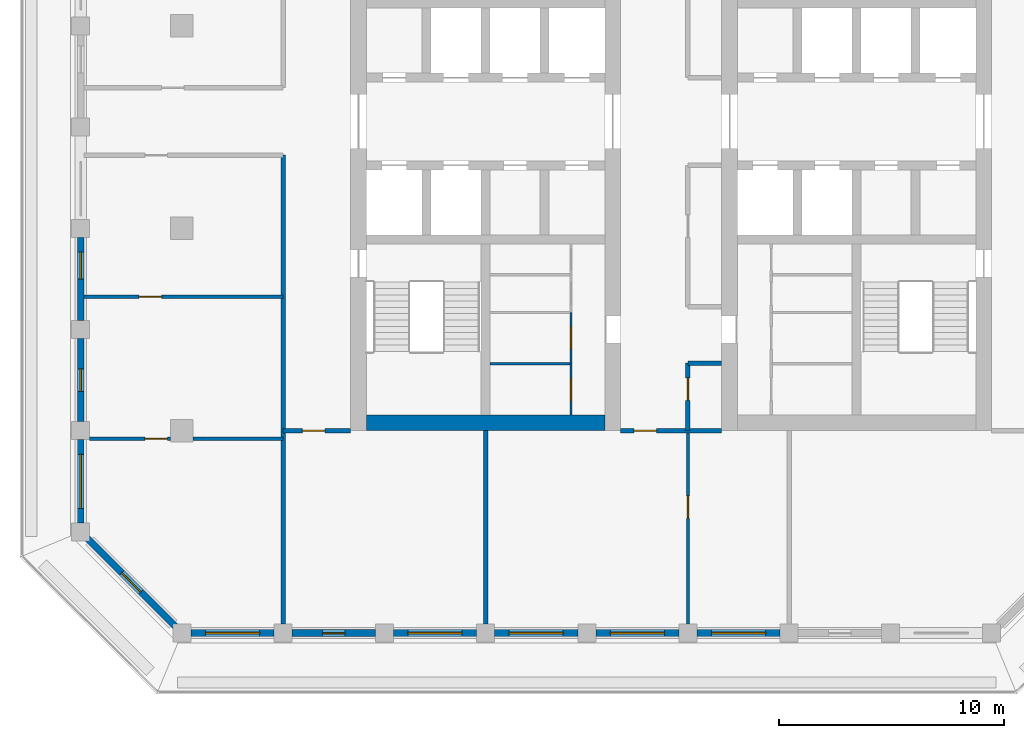
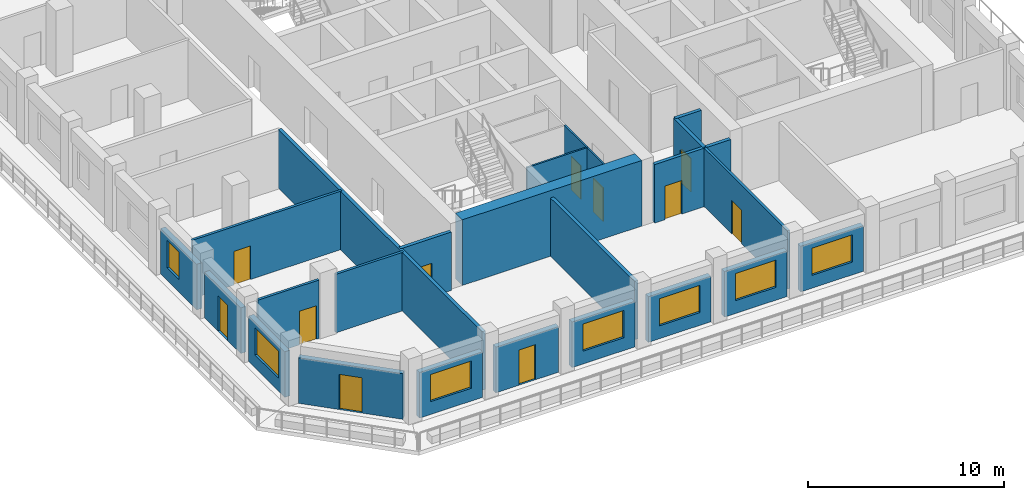
# One storey, part 2 of 14: 24 walls, 11 doors, 7 windows, 18 openings.
"""IFC4 building model written with IfcOpenShell, lengths in metres."""

from ifc_helpers import new_model, si_unit, direction, frame, frame_2d, origin, place, context, subcontext, project, spatial, rectangle, extrude, material, layer, layer_set, type_object, element, fill, save


model = new_model("IFC4")

# Units and contexts
model_context = context("Model", 3, precision=1e-05, world=origin(), true_north=direction((0.0, 1.0)))
body_context = subcontext(model_context, "Body", "Model", "MODEL_VIEW")
ifc_project = project(units=[si_unit("LENGTHUNIT", "METRE"), si_unit("AREAUNIT", "SQUARE_METRE"), si_unit("VOLUMEUNIT", "CUBIC_METRE"), si_unit("PLANEANGLEUNIT", "RADIAN"), si_unit("MASSUNIT", "GRAM", prefix="KILO")], contexts=[model_context])

# Site, building, storey
site_placement = place(None, origin())
site = spatial("IfcSite", under=ifc_project, at=site_placement, CompositionType="ELEMENT")
building_placement = place(site_placement, origin())
building = spatial("IfcBuilding", under=site, at=building_placement, Name="Corbel Stack Research Tower", CompositionType="ELEMENT")
storey_placement = place(building_placement, frame((0.0, 0.0, 286.800048828125)))
storey = spatial("IfcBuildingStorey", under=building, at=storey_placement, Name="L65", CompositionType="ELEMENT", Elevation=286.800048828125)

# Wall
ifc_material_1 = material(Name="Concrete C60/75", Category="concrete")
ifc_layer_1 = layer(ifc_material_1, 0.699951171875)
ifc_layer_set_1 = layer_set([ifc_layer_1], Name="Concrete C60/75")
wall_type_1 = type_object("IfcWallType", Name="CW-700-60", PredefinedType="SHEAR", material=ifc_layer_set_1)
wall_1_placement = place(storey_placement, frame((-9.800048828125, -8.64990234375, 0.0), z_axis=(0.0, 0.0, 1.0), x_axis=(1.0, 0.0, 0.0)))
element("IfcWall", 1, at=wall_1_placement, inside=storey, type_object=wall_type_1, Name="West core wall, south end L65", PredefinedType="SHEAR", context=body_context, shape_type="SweptSolid", body=[
    extrude(rectangle(XDim=10.60009765625, YDim=0.699951171875, at=frame_2d((5.300048828125, 0.0))), origin(), (0.0, 0.0, 1.0), 4.099853515625),
])

# Wall, opening, door
ifc_material_2 = material(Name="Gypsum board")
ifc_layer_2 = layer(ifc_material_2, 0.10009765625)
ifc_layer_set_2 = layer_set([ifc_layer_2], Name="Gypsum board")
wall_type_2 = type_object("IfcWallType", Name="Core partition 100", PredefinedType="PARTITIONING", material=ifc_layer_set_2)
wall_2_placement = place(storey_placement, frame((-0.699951171875, -8.300048828125, 0.0), z_axis=(0.0, 0.0, 1.0), x_axis=(0.0, 1.0, 0.0)))
wall_2 = element("IfcWall", 2, at=wall_2_placement, inside=storey, type_object=wall_type_2, Name="Core partition W", PredefinedType="PARTITIONING", context=body_context, shape_type="SweptSolid", body=[
    extrude(rectangle(XDim=2.280029296875, YDim=0.10009765625, at=frame_2d((1.14013671875, 0.0))), origin(), (0.0, 0.0, 1.0), 3.64990234375),
])
opening_1_placement = place(wall_2_placement, frame((0.639892578125, 0.0, 0.0)))
opening_1 = element("IfcOpeningElement", 3, at=opening_1_placement, cuts=wall_2, Name="Opening CR-W42-W2-1000", PredefinedType="OPENING", context=body_context, shape_type="SweptSolid", body=[
    extrude(rectangle(XDim=1.0, YDim=2.10009765625, at=frame_2d((0.5, 1.050048828125))), frame((0.0, 0.06005859375, 0.0), z_axis=(0.0, -1.0, 0.0), x_axis=(1.0, 0.0, 0.0)), (0.0, 0.0, 1.0), 0.1201171875),
])
ifc_material_3 = material(Name="Painted timber door", Category="wood")
door_type_1 = type_object("IfcDoorType", Name="WC door 1000 x 2100 right hand", OperationType="SINGLE_SWING_RIGHT", PredefinedType="DOOR", material=ifc_material_3)
door_1_placement = place(opening_1_placement, origin())
door_1 = element("IfcDoor", 4, at=door_1_placement, inside=storey, type_object=door_type_1, Name="Men's WC door W core", OperationType="SINGLE_SWING_RIGHT", OverallHeight=2.10009765625, OverallWidth=1.0, PredefinedType="DOOR", context=body_context, shape_type="SweptSolid", body=[
    extrude(rectangle(XDim=1.0, YDim=2.10009765625, at=frame_2d((0.5, 1.050048828125))), frame((0.0, 0.02490234375, 0.0), z_axis=(0.0, -1.0, 0.0), x_axis=(1.0, 0.0, 0.0)), (0.0, 0.0, 1.0), 0.050048828125),
])
fill(opening_1, door_1)

wall_3_placement = place(storey_placement, frame((-0.699951171875, -6.02001953125, 0.0), z_axis=(0.0, 0.0, 1.0), x_axis=(0.0, 1.0, 0.0)))
wall_3 = element("IfcWall", 5, at=wall_3_placement, inside=storey, type_object=wall_type_2, Name="Core partition W", PredefinedType="PARTITIONING", context=body_context, shape_type="SweptSolid", body=[
    extrude(rectangle(XDim=2.280029296875, YDim=0.10009765625, at=frame_2d((1.14013671875, 0.0))), origin(), (0.0, 0.0, 1.0), 3.64990234375),
])
opening_2_placement = place(wall_3_placement, frame((0.639892578125, 0.0, 0.0)))
opening_2 = element("IfcOpeningElement", 6, at=opening_2_placement, cuts=wall_3, Name="Opening CR-W42-W3-1000", PredefinedType="OPENING", context=body_context, shape_type="SweptSolid", body=[
    extrude(rectangle(XDim=1.0, YDim=2.10009765625, at=frame_2d((0.5, 1.050048828125))), frame((0.0, 0.06005859375, 0.0), z_axis=(0.0, -1.0, 0.0), x_axis=(1.0, 0.0, 0.0)), (0.0, 0.0, 1.0), 0.1201171875),
])
ifc_material_4 = material(Name="Painted timber door", Category="wood")
door_type_2 = type_object("IfcDoorType", Name="WC door 1000 x 2100 left hand", OperationType="SINGLE_SWING_LEFT", PredefinedType="DOOR", material=ifc_material_4)
door_2_placement = place(opening_2_placement, origin())
door_2 = element("IfcDoor", 7, at=door_2_placement, inside=storey, type_object=door_type_2, Name="Women's WC door W core", OperationType="SINGLE_SWING_LEFT", OverallHeight=2.10009765625, OverallWidth=1.0, PredefinedType="DOOR", context=body_context, shape_type="SweptSolid", body=[
    extrude(rectangle(XDim=1.0, YDim=2.10009765625, at=frame_2d((0.5, 1.050048828125))), frame((0.0, 0.02490234375, 0.0), z_axis=(0.0, -1.0, 0.0), x_axis=(1.0, 0.0, 0.0)), (0.0, 0.0, 1.0), 0.050048828125),
])
fill(opening_2, door_2)

# Wall
wall_4_placement = place(storey_placement, frame((-4.300048828125, -6.02001953125, 0.0), z_axis=(0.0, 0.0, 1.0), x_axis=(1.0, 0.0, 0.0)))
element("IfcWall", 8, at=wall_4_placement, inside=storey, type_object=wall_type_2, Name="Core partition W", PredefinedType="PARTITIONING", context=body_context, shape_type="SweptSolid", body=[
    extrude(rectangle(XDim=3.60009765625, YDim=0.10009765625, at=frame_2d((1.800048828125, 0.0))), origin(), (0.0, 0.0, 1.0), 3.64990234375),
])

# Wall, opening, door
ifc_material_5 = material(Name="Fire-rated gypsum board partition on steel studs", Category="steel")
ifc_layer_3 = layer(ifc_material_5, 0.14990234375)
ifc_layer_set_3 = layer_set([ifc_layer_3], Name="Fire-rated gypsum board partition on steel studs")
wall_type_3 = type_object("IfcWallType", Name="Fire-rated partition 150 EI 60", PredefinedType="PARTITIONING", material=ifc_layer_set_3)
wall_5_placement = place(storey_placement, frame((4.5, -9.0, 0.0), z_axis=(0.0, 0.0, 1.0), x_axis=(0.0, -1.0, 0.0)))
wall_5 = element("IfcWall", 9, at=wall_5_placement, inside=storey, type_object=wall_type_3, Name="Partition L65-005", PredefinedType="PARTITIONING", context=body_context, shape_type="SweptSolid", body=[
    extrude(rectangle(XDim=8.60009765625, YDim=0.14990234375, at=frame_2d((4.300048828125, 0.0))), origin(), (0.0, 0.0, 1.0), 3.64990234375),
])
opening_3_placement = place(wall_5_placement, frame((2.89990234375, 0.0, 0.0)))
opening_3 = element("IfcOpeningElement", 10, at=opening_3_placement, cuts=wall_5, Name="Opening B8V2-007", PredefinedType="OPENING", context=body_context, shape_type="SweptSolid", body=[
    extrude(rectangle(XDim=1.0, YDim=2.10009765625, at=frame_2d((0.5, 1.050048828125))), frame((0.0, 0.0849609375, 0.0), z_axis=(0.0, -1.0, 0.0), x_axis=(1.0, 0.0, 0.0)), (0.0, 0.0, 1.0), 0.169921875),
])
ifc_material_6 = material(Name="Painted steel fire door", Category="steel")
door_type_3 = type_object("IfcDoorType", Name="Fire door FD30S 1000 x 2100", OperationType="NOTDEFINED", PredefinedType="DOOR", material=ifc_material_6)
door_3_placement = place(opening_3_placement, origin())
door_3 = element("IfcDoor", 11, at=door_3_placement, inside=storey, type_object=door_type_3, Name="Door B8V2-007", OperationType="SINGLE_SWING_LEFT", OverallHeight=2.10009765625, OverallWidth=1.0, PredefinedType="DOOR", context=body_context, shape_type="SweptSolid", body=[
    extrude(rectangle(XDim=1.0, YDim=2.10009765625, at=frame_2d((0.5, 1.050048828125))), frame((0.0, 0.02490234375, 0.0), z_axis=(0.0, -1.0, 0.0), x_axis=(1.0, 0.0, 0.0)), (0.0, 0.0, 1.0), 0.050048828125),
])
fill(opening_3, door_3)

# Walls
ifc_material_7 = material(Name="Fire-rated gypsum board partition on steel studs", Category="steel")
ifc_layer_4 = layer(ifc_material_7, 0.199951171875)
ifc_layer_set_4 = layer_set([ifc_layer_4], Name="Fire-rated gypsum board partition on steel studs")
wall_type_4 = type_object("IfcWallType", Name="Fire-rated partition 200 EI 60", PredefinedType="PARTITIONING", material=ifc_layer_set_4)
wall_6_placement = place(storey_placement, frame((-13.5, -17.60009765625, 0.0), z_axis=(0.0, 0.0, 1.0), x_axis=(0.0, 1.0, 0.0)))
element("IfcWall", 12, at=wall_6_placement, inside=storey, type_object=wall_type_4, Name="Partition L65-001", PredefinedType="PARTITIONING", context=body_context, shape_type="SweptSolid", body=[
    extrude(rectangle(XDim=20.85009765625, YDim=0.199951171875, at=frame_2d((10.425048828125, 0.0))), origin(), (0.0, 0.0, 1.0), 3.64990234375),
])
wall_7_placement = place(storey_placement, frame((-4.5, -17.60009765625, 0.0), z_axis=(0.0, 0.0, 1.0), x_axis=(0.0, 1.0, 0.0)))
element("IfcWall", 13, at=wall_7_placement, inside=storey, type_object=wall_type_4, Name="Partition L65-003", PredefinedType="PARTITIONING", context=body_context, shape_type="SweptSolid", body=[
    extrude(rectangle(XDim=8.60009765625, YDim=0.199951171875, at=frame_2d((4.300048828125, 0.0))), origin(), (0.0, 0.0, 1.0), 3.64990234375),
])

# Wall, opening, door
wall_8_placement = place(storey_placement, frame((4.5, -6.0, 0.0), z_axis=(0.0, 0.0, 1.0), x_axis=(0.0, -1.0, 0.0)))
wall_8 = element("IfcWall", 14, at=wall_8_placement, inside=storey, type_object=wall_type_4, Name="Partition L65-007", PredefinedType="PARTITIONING", context=body_context, shape_type="SweptSolid", body=[
    extrude(rectangle(XDim=3.0, YDim=0.199951171875, at=frame_2d((1.5, 0.0))), origin(), (0.0, 0.0, 1.0), 3.64990234375),
])
opening_4_placement = place(wall_8_placement, frame((0.64990234375, 0.0, 0.0)))
opening_4 = element("IfcOpeningElement", 15, at=opening_4_placement, cuts=wall_8, Name="Opening B8V2-008", PredefinedType="OPENING", context=body_context, shape_type="SweptSolid", body=[
    extrude(rectangle(XDim=1.0, YDim=2.10009765625, at=frame_2d((0.5, 1.050048828125))), frame((0.0, 0.10986328125, 0.0), z_axis=(0.0, -1.0, 0.0), x_axis=(1.0, 0.0, 0.0)), (0.0, 0.0, 1.0), 0.219970703125),
])
door_4_placement = place(opening_4_placement, origin())
door_4 = element("IfcDoor", 16, at=door_4_placement, inside=storey, type_object=door_type_3, Name="Door B8V2-008", OperationType="SINGLE_SWING_LEFT", OverallHeight=2.10009765625, OverallWidth=1.0, PredefinedType="DOOR", context=body_context, shape_type="SweptSolid", body=[
    extrude(rectangle(XDim=1.0, YDim=2.10009765625, at=frame_2d((0.5, 1.050048828125))), frame((0.0, 0.02490234375, 0.0), z_axis=(0.0, -1.0, 0.0), x_axis=(1.0, 0.0, 0.0)), (0.0, 0.0, 1.0), 0.050048828125),
])
fill(opening_4, door_4)

wall_9_placement = place(storey_placement, frame((-10.5, -9.0, 0.0), z_axis=(0.0, 0.0, 1.0), x_axis=(-1.0, 0.0, 0.0)))
wall_9 = element("IfcWall", 17, at=wall_9_placement, inside=storey, type_object=wall_type_4, Name="Partition L65-015", PredefinedType="PARTITIONING", context=body_context, shape_type="SweptSolid", body=[
    extrude(rectangle(XDim=3.0, YDim=0.199951171875, at=frame_2d((1.5, 0.0))), origin(), (0.0, 0.0, 1.0), 3.64990234375),
])
opening_5_placement = place(wall_9_placement, frame((1.14990234375, 0.0, 0.0)))
opening_5 = element("IfcOpeningElement", 18, at=opening_5_placement, cuts=wall_9, Name="Opening B8V2-002", PredefinedType="OPENING", context=body_context, shape_type="SweptSolid", body=[
    extrude(rectangle(XDim=1.0, YDim=2.10009765625, at=frame_2d((0.5, 1.050048828125))), frame((0.0, 0.10986328125, 0.0), z_axis=(0.0, -1.0, 0.0), x_axis=(1.0, 0.0, 0.0)), (0.0, 0.0, 1.0), 0.219970703125),
])
door_5_placement = place(opening_5_placement, origin())
door_5 = element("IfcDoor", 19, at=door_5_placement, inside=storey, type_object=door_type_3, Name="Door B8V2-002", OperationType="SINGLE_SWING_RIGHT", OverallHeight=2.10009765625, OverallWidth=1.0, PredefinedType="DOOR", context=body_context, shape_type="SweptSolid", body=[
    extrude(rectangle(XDim=1.0, YDim=2.10009765625, at=frame_2d((0.5, 1.050048828125))), frame((0.0, 0.02490234375, 0.0), z_axis=(0.0, -1.0, 0.0), x_axis=(1.0, 0.0, 0.0)), (0.0, 0.0, 1.0), 0.050048828125),
])
fill(opening_5, door_5)

wall_10_placement = place(storey_placement, frame((6.0, -9.0, 0.0), z_axis=(0.0, 0.0, 1.0), x_axis=(-1.0, 0.0, 0.0)))
wall_10 = element("IfcWall", 20, at=wall_10_placement, inside=storey, type_object=wall_type_4, Name="Partition L65-016", PredefinedType="PARTITIONING", context=body_context, shape_type="SweptSolid", body=[
    extrude(rectangle(XDim=4.5, YDim=0.199951171875, at=frame_2d((2.25, 0.0))), origin(), (0.0, 0.0, 1.0), 3.64990234375),
])
opening_6_placement = place(wall_10_placement, frame((2.89990234375, 0.0, 0.0)))
opening_6 = element("IfcOpeningElement", 21, at=opening_6_placement, cuts=wall_10, Name="Opening B8V2-003", PredefinedType="OPENING", context=body_context, shape_type="SweptSolid", body=[
    extrude(rectangle(XDim=1.0, YDim=2.10009765625, at=frame_2d((0.5, 1.050048828125))), frame((0.0, 0.10986328125, 0.0), z_axis=(0.0, -1.0, 0.0), x_axis=(1.0, 0.0, 0.0)), (0.0, 0.0, 1.0), 0.219970703125),
])
door_6_placement = place(opening_6_placement, origin())
door_6 = element("IfcDoor", 22, at=door_6_placement, inside=storey, type_object=door_type_3, Name="Door B8V2-003", OperationType="SINGLE_SWING_RIGHT", OverallHeight=2.10009765625, OverallWidth=1.0, PredefinedType="DOOR", context=body_context, shape_type="SweptSolid", body=[
    extrude(rectangle(XDim=1.0, YDim=2.10009765625, at=frame_2d((0.5, 1.050048828125))), frame((0.0, 0.02490234375, 0.0), z_axis=(0.0, -1.0, 0.0), x_axis=(1.0, 0.0, 0.0)), (0.0, 0.0, 1.0), 0.050048828125),
])
fill(opening_6, door_6)

# Wall
wall_11_placement = place(storey_placement, frame((4.5, -6.0, 0.0), z_axis=(0.0, 0.0, 1.0), x_axis=(1.0, 0.0, 0.0)))
element("IfcWall", 23, at=wall_11_placement, inside=storey, type_object=wall_type_4, Name="Partition L65-018", PredefinedType="PARTITIONING", context=body_context, shape_type="SweptSolid", body=[
    extrude(rectangle(XDim=1.5, YDim=0.199951171875, at=frame_2d((0.75, 0.0))), origin(), (0.0, 0.0, 1.0), 3.64990234375),
])

# Wall, opening, door
ifc_material_8 = material(Name="Gypsum board partition on steel studs", Category="steel")
ifc_layer_5 = layer(ifc_material_8, 0.14990234375)
ifc_layer_set_5 = layer_set([ifc_layer_5], Name="Gypsum board partition on steel studs")
wall_type_5 = type_object("IfcWallType", Name="Partition 150", PredefinedType="PARTITIONING", material=ifc_layer_set_5)
wall_12_placement = place(storey_placement, frame((-18.5, -9.35009765625, 0.0), z_axis=(0.0, 0.0, 1.0), x_axis=(-1.0, 0.0, 0.0)))
wall_12 = element("IfcWall", 24, at=wall_12_placement, inside=storey, type_object=wall_type_5, Name="Partition L65-013", PredefinedType="PARTITIONING", context=body_context, shape_type="SweptSolid", body=[
    extrude(rectangle(XDim=3.60009765625, YDim=0.14990234375, at=frame_2d((1.800048828125, 0.0))), origin(), (0.0, 0.0, 1.0), 3.64990234375),
])
opening_7_placement = place(wall_12_placement, frame((0.14990234375, 0.0, 0.0)))
opening_7 = element("IfcOpeningElement", 25, at=opening_7_placement, cuts=wall_12, Name="Opening B8V2-001", PredefinedType="OPENING", context=body_context, shape_type="SweptSolid", body=[
    extrude(rectangle(XDim=1.0, YDim=2.10009765625, at=frame_2d((0.5, 1.050048828125))), frame((0.0, 0.0849609375, 0.0), z_axis=(0.0, -1.0, 0.0), x_axis=(1.0, 0.0, 0.0)), (0.0, 0.0, 1.0), 0.169921875),
])
ifc_material_9 = material(Name="Painted timber door", Category="wood")
door_type_4 = type_object("IfcDoorType", Name="Single door 1000 x 2100", OperationType="NOTDEFINED", PredefinedType="DOOR", material=ifc_material_9)
door_7_placement = place(opening_7_placement, origin())
door_7 = element("IfcDoor", 26, at=door_7_placement, inside=storey, type_object=door_type_4, Name="Door B8V2-001", OperationType="SINGLE_SWING_LEFT", OverallHeight=2.10009765625, OverallWidth=1.0, PredefinedType="DOOR", context=body_context, shape_type="SweptSolid", body=[
    extrude(rectangle(XDim=1.0, YDim=2.10009765625, at=frame_2d((0.5, 1.050048828125))), frame((0.0, 0.02490234375, 0.0), z_axis=(0.0, -1.0, 0.0), x_axis=(1.0, 0.0, 0.0)), (0.0, 0.0, 1.0), 0.050048828125),
])
fill(opening_7, door_7)

# Wall
wall_13_placement = place(storey_placement, frame((-17.5, -9.35009765625, 0.0), z_axis=(0.0, 0.0, 1.0), x_axis=(1.0, 0.0, 0.0)))
element("IfcWall", 27, at=wall_13_placement, inside=storey, type_object=wall_type_5, Name="Partition L65-014", PredefinedType="PARTITIONING", context=body_context, shape_type="SweptSolid", body=[
    extrude(rectangle(XDim=4.0, YDim=0.14990234375, at=frame_2d((2.0, 0.0))), origin(), (0.0, 0.0, 1.0), 3.64990234375),
])

# Wall, opening, door
wall_14_placement = place(storey_placement, frame((-13.5, -3.050048828125, 0.0), z_axis=(0.0, 0.0, 1.0), x_axis=(-1.0, 0.0, 0.0)))
wall_14 = element("IfcWall", 28, at=wall_14_placement, inside=storey, type_object=wall_type_5, Name="Partition L65-020", PredefinedType="PARTITIONING", context=body_context, shape_type="SweptSolid", body=[
    extrude(rectangle(XDim=8.85009765625, YDim=0.14990234375, at=frame_2d((4.425048828125, 0.0))), origin(), (0.0, 0.0, 1.0), 3.64990234375),
])
opening_8_placement = place(wall_14_placement, frame((5.39990234375, 0.0, 0.0)))
opening_8 = element("IfcOpeningElement", 29, at=opening_8_placement, cuts=wall_14, Name="Opening B8V2-005", PredefinedType="OPENING", context=body_context, shape_type="SweptSolid", body=[
    extrude(rectangle(XDim=1.0, YDim=2.10009765625, at=frame_2d((0.5, 1.050048828125))), frame((0.0, 0.0849609375, 0.0), z_axis=(0.0, -1.0, 0.0), x_axis=(1.0, 0.0, 0.0)), (0.0, 0.0, 1.0), 0.169921875),
])
door_8_placement = place(opening_8_placement, origin())
door_8 = element("IfcDoor", 30, at=door_8_placement, inside=storey, type_object=door_type_4, Name="Door B8V2-005", OperationType="SINGLE_SWING_RIGHT", OverallHeight=2.10009765625, OverallWidth=1.0, PredefinedType="DOOR", context=body_context, shape_type="SweptSolid", body=[
    extrude(rectangle(XDim=1.0, YDim=2.10009765625, at=frame_2d((0.5, 1.050048828125))), frame((0.0, 0.02490234375, 0.0), z_axis=(0.0, -1.0, 0.0), x_axis=(1.0, 0.0, 0.0)), (0.0, 0.0, 1.0), 0.050048828125),
])
fill(opening_8, door_8)

# Wall, opening, window
ifc_material_10 = material(Name="Concrete C45/55", Category="concrete")
ifc_layer_6 = layer(ifc_material_10, 0.300048828125)
ifc_layer_set_6 = layer_set([ifc_layer_6], Name="Concrete C45/55")
wall_type_6 = type_object("IfcWallType", Name="Terracotta-faced concrete wall 300", PredefinedType="SOLIDWALL", material=ifc_layer_set_6)
wall_15_placement = place(storey_placement, frame((-13.89990234375, -18.0, 0.0), z_axis=(0.0, 0.0, 1.0), x_axis=(-1.0, 0.0, 0.0)))
wall_15 = element("IfcWall", 31, at=wall_15_placement, inside=storey, type_object=wall_type_6, Name="Facade wall L65 S01", PredefinedType="SOLIDWALL", context=body_context, shape_type="SweptSolid", body=[
    extrude(rectangle(XDim=3.7001953125, YDim=0.300048828125, at=frame_2d((1.85009765625, 0.0))), origin(), (0.0, 0.0, 1.0), 2.849853515625),
])
opening_9_placement = place(wall_15_placement, frame((0.64990234375, 0.0, 0.800048828125)))
opening_9 = element("IfcOpeningElement", 32, at=opening_9_placement, cuts=wall_15, Name="Opening W1", PredefinedType="OPENING", context=body_context, shape_type="SweptSolid", body=[
    extrude(rectangle(XDim=2.39990234375, YDim=1.699951171875, at=frame_2d((1.199951171875, 0.85009765625))), frame((0.0, 0.159912109375, 0.0), z_axis=(0.0, -1.0, 0.0), x_axis=(1.0, 0.0, 0.0)), (0.0, 0.0, 1.0), 0.320068359375),
])
ifc_material_11 = material(Name="Aluminium frame, clear double glazing", Category="aluminium")
window_type_1 = type_object("IfcWindowType", Name="Window W1 2400 x 1700", PartitioningType="SINGLE_PANEL", PredefinedType="WINDOW", material=ifc_material_11)
window_1_placement = place(opening_9_placement, origin())
window_1 = element("IfcWindow", 33, at=window_1_placement, inside=storey, type_object=window_type_1, Name="Window W1 L65 S01", OverallHeight=1.699951171875, OverallWidth=2.39990234375, PartitioningType="SINGLE_PANEL", PredefinedType="WINDOW", context=body_context, shape_type="SweptSolid", body=[
    extrude(rectangle(XDim=2.39990234375, YDim=1.699951171875, at=frame_2d((1.199951171875, 0.85009765625))), frame((0.0, 0.030029296875, 0.0), z_axis=(0.0, -1.0, 0.0), x_axis=(1.0, 0.0, 0.0)), (0.0, 0.0, 1.0), 0.06005859375),
])
fill(opening_9, window_1)

# Wall, opening, door
wall_16_placement = place(storey_placement, frame((-9.39990234375, -18.0, 0.0), z_axis=(0.0, 0.0, 1.0), x_axis=(-1.0, 0.0, 0.0)))
wall_16 = element("IfcWall", 34, at=wall_16_placement, inside=storey, type_object=wall_type_6, Name="Facade wall L65 S02", PredefinedType="SOLIDWALL", context=body_context, shape_type="SweptSolid", body=[
    extrude(rectangle(XDim=3.7001953125, YDim=0.300048828125, at=frame_2d((1.85009765625, 0.0))), origin(), (0.0, 0.0, 1.0), 2.849853515625),
])
opening_10_placement = place(wall_16_placement, frame((1.35009765625, 0.0, 0.0)))
opening_10 = element("IfcOpeningElement", 35, at=opening_10_placement, cuts=wall_16, Name="Opening L65-B01", PredefinedType="OPENING", context=body_context, shape_type="SweptSolid", body=[
    extrude(rectangle(XDim=1.0, YDim=2.199951171875, at=frame_2d((0.5, 1.10009765625))), frame((0.0, 0.159912109375, 0.0), z_axis=(0.0, -1.0, 0.0), x_axis=(1.0, 0.0, 0.0)), (0.0, 0.0, 1.0), 0.320068359375),
])
ifc_material_12 = material(Name="Aluminium frame, clear double glazing", Category="aluminium")
door_type_5 = type_object("IfcDoorType", Name="Balcony door BD1 1000 x 2200", OperationType="NOTDEFINED", PredefinedType="DOOR", material=ifc_material_12)
door_9_placement = place(opening_10_placement, origin())
door_9 = element("IfcDoor", 36, at=door_9_placement, inside=storey, type_object=door_type_5, Name="Balcony door L65-B01", OperationType="SINGLE_SWING_LEFT", OverallHeight=2.199951171875, OverallWidth=1.0, PredefinedType="DOOR", context=body_context, shape_type="SweptSolid", body=[
    extrude(rectangle(XDim=1.0, YDim=2.199951171875, at=frame_2d((0.5, 1.10009765625))), frame((0.0, 0.02490234375, 0.0), z_axis=(0.0, -1.0, 0.0), x_axis=(1.0, 0.0, 0.0)), (0.0, 0.0, 1.0), 0.050048828125),
])
fill(opening_10, door_9)

# Wall, opening, window
wall_17_placement = place(storey_placement, frame((-4.89990234375, -18.0, 0.0), z_axis=(0.0, 0.0, 1.0), x_axis=(-1.0, 0.0, 0.0)))
wall_17 = element("IfcWall", 37, at=wall_17_placement, inside=storey, type_object=wall_type_6, Name="Facade wall L65 S03", PredefinedType="SOLIDWALL", context=body_context, shape_type="SweptSolid", body=[
    extrude(rectangle(XDim=3.7001953125, YDim=0.300048828125, at=frame_2d((1.85009765625, 0.0))), origin(), (0.0, 0.0, 1.0), 2.849853515625),
])
opening_11_placement = place(wall_17_placement, frame((0.64990234375, 0.0, 0.800048828125)))
opening_11 = element("IfcOpeningElement", 38, at=opening_11_placement, cuts=wall_17, Name="Opening W1", PredefinedType="OPENING", context=body_context, shape_type="SweptSolid", body=[
    extrude(rectangle(XDim=2.39990234375, YDim=1.699951171875, at=frame_2d((1.199951171875, 0.85009765625))), frame((0.0, 0.159912109375, 0.0), z_axis=(0.0, -1.0, 0.0), x_axis=(1.0, 0.0, 0.0)), (0.0, 0.0, 1.0), 0.320068359375),
])
window_2_placement = place(opening_11_placement, origin())
window_2 = element("IfcWindow", 39, at=window_2_placement, inside=storey, type_object=window_type_1, Name="Window W1 L65 S03", OverallHeight=1.699951171875, OverallWidth=2.39990234375, PartitioningType="SINGLE_PANEL", PredefinedType="WINDOW", context=body_context, shape_type="SweptSolid", body=[
    extrude(rectangle(XDim=2.39990234375, YDim=1.699951171875, at=frame_2d((1.199951171875, 0.85009765625))), frame((0.0, 0.030029296875, 0.0), z_axis=(0.0, -1.0, 0.0), x_axis=(1.0, 0.0, 0.0)), (0.0, 0.0, 1.0), 0.06005859375),
])
fill(opening_11, window_2)

wall_18_placement = place(storey_placement, frame((-0.39990234375, -18.0, 0.0), z_axis=(0.0, 0.0, 1.0), x_axis=(-1.0, 0.0, 0.0)))
wall_18 = element("IfcWall", 40, at=wall_18_placement, inside=storey, type_object=wall_type_6, Name="Facade wall L65 S04", PredefinedType="SOLIDWALL", context=body_context, shape_type="SweptSolid", body=[
    extrude(rectangle(XDim=3.7001953125, YDim=0.300048828125, at=frame_2d((1.85009765625, 0.0))), origin(), (0.0, 0.0, 1.0), 2.849853515625),
])
opening_12_placement = place(wall_18_placement, frame((0.64990234375, 0.0, 0.800048828125)))
opening_12 = element("IfcOpeningElement", 41, at=opening_12_placement, cuts=wall_18, Name="Opening W1", PredefinedType="OPENING", context=body_context, shape_type="SweptSolid", body=[
    extrude(rectangle(XDim=2.39990234375, YDim=1.699951171875, at=frame_2d((1.199951171875, 0.85009765625))), frame((0.0, 0.159912109375, 0.0), z_axis=(0.0, -1.0, 0.0), x_axis=(1.0, 0.0, 0.0)), (0.0, 0.0, 1.0), 0.320068359375),
])
window_3_placement = place(opening_12_placement, origin())
window_3 = element("IfcWindow", 42, at=window_3_placement, inside=storey, type_object=window_type_1, Name="Window W1 L65 S04", OverallHeight=1.699951171875, OverallWidth=2.39990234375, PartitioningType="SINGLE_PANEL", PredefinedType="WINDOW", context=body_context, shape_type="SweptSolid", body=[
    extrude(rectangle(XDim=2.39990234375, YDim=1.699951171875, at=frame_2d((1.199951171875, 0.85009765625))), frame((0.0, 0.030029296875, 0.0), z_axis=(0.0, -1.0, 0.0), x_axis=(1.0, 0.0, 0.0)), (0.0, 0.0, 1.0), 0.06005859375),
])
fill(opening_12, window_3)

wall_19_placement = place(storey_placement, frame((4.10009765625, -18.0, 0.0), z_axis=(0.0, 0.0, 1.0), x_axis=(-1.0, 0.0, 0.0)))
wall_19 = element("IfcWall", 43, at=wall_19_placement, inside=storey, type_object=wall_type_6, Name="Facade wall L65 S05", PredefinedType="SOLIDWALL", context=body_context, shape_type="SweptSolid", body=[
    extrude(rectangle(XDim=3.7001953125, YDim=0.300048828125, at=frame_2d((1.85009765625, 0.0))), origin(), (0.0, 0.0, 1.0), 2.849853515625),
])
opening_13_placement = place(wall_19_placement, frame((0.64990234375, 0.0, 0.800048828125)))
opening_13 = element("IfcOpeningElement", 44, at=opening_13_placement, cuts=wall_19, Name="Opening W1", PredefinedType="OPENING", context=body_context, shape_type="SweptSolid", body=[
    extrude(rectangle(XDim=2.39990234375, YDim=1.699951171875, at=frame_2d((1.199951171875, 0.85009765625))), frame((0.0, 0.159912109375, 0.0), z_axis=(0.0, -1.0, 0.0), x_axis=(1.0, 0.0, 0.0)), (0.0, 0.0, 1.0), 0.320068359375),
])
window_4_placement = place(opening_13_placement, origin())
window_4 = element("IfcWindow", 45, at=window_4_placement, inside=storey, type_object=window_type_1, Name="Window W1 L65 S05", OverallHeight=1.699951171875, OverallWidth=2.39990234375, PartitioningType="SINGLE_PANEL", PredefinedType="WINDOW", context=body_context, shape_type="SweptSolid", body=[
    extrude(rectangle(XDim=2.39990234375, YDim=1.699951171875, at=frame_2d((1.199951171875, 0.85009765625))), frame((0.0, 0.030029296875, 0.0), z_axis=(0.0, -1.0, 0.0), x_axis=(1.0, 0.0, 0.0)), (0.0, 0.0, 1.0), 0.06005859375),
])
fill(opening_13, window_4)

wall_20_placement = place(storey_placement, frame((8.60009765625, -18.0, 0.0), z_axis=(0.0, 0.0, 1.0), x_axis=(-1.0, 0.0, 0.0)))
wall_20 = element("IfcWall", 46, at=wall_20_placement, inside=storey, type_object=wall_type_6, Name="Facade wall L65 S06", PredefinedType="SOLIDWALL", context=body_context, shape_type="SweptSolid", body=[
    extrude(rectangle(XDim=3.7001953125, YDim=0.300048828125, at=frame_2d((1.85009765625, 0.0))), origin(), (0.0, 0.0, 1.0), 2.849853515625),
])
opening_14_placement = place(wall_20_placement, frame((0.64990234375, 0.0, 0.800048828125)))
opening_14 = element("IfcOpeningElement", 47, at=opening_14_placement, cuts=wall_20, Name="Opening W1", PredefinedType="OPENING", context=body_context, shape_type="SweptSolid", body=[
    extrude(rectangle(XDim=2.39990234375, YDim=1.699951171875, at=frame_2d((1.199951171875, 0.85009765625))), frame((0.0, 0.159912109375, 0.0), z_axis=(0.0, -1.0, 0.0), x_axis=(1.0, 0.0, 0.0)), (0.0, 0.0, 1.0), 0.320068359375),
])
window_5_placement = place(opening_14_placement, origin())
window_5 = element("IfcWindow", 48, at=window_5_placement, inside=storey, type_object=window_type_1, Name="Window W1 L65 S06", OverallHeight=1.699951171875, OverallWidth=2.39990234375, PartitioningType="SINGLE_PANEL", PredefinedType="WINDOW", context=body_context, shape_type="SweptSolid", body=[
    extrude(rectangle(XDim=2.39990234375, YDim=1.699951171875, at=frame_2d((1.199951171875, 0.85009765625))), frame((0.0, 0.030029296875, 0.0), z_axis=(0.0, -1.0, 0.0), x_axis=(1.0, 0.0, 0.0)), (0.0, 0.0, 1.0), 0.06005859375),
])
fill(opening_14, window_5)

wall_21_placement = place(storey_placement, frame((-22.5, -4.10009765625, 0.0), z_axis=(0.0, 0.0, 1.0), x_axis=(0.0, 1.0, 0.0)))
wall_21 = element("IfcWall", 49, at=wall_21_placement, inside=storey, type_object=wall_type_6, Name="Facade wall L65 W06", PredefinedType="SOLIDWALL", context=body_context, shape_type="SweptSolid", body=[
    extrude(rectangle(XDim=3.7001953125, YDim=0.300048828125, at=frame_2d((1.85009765625, 0.0))), origin(), (0.0, 0.0, 1.0), 2.849853515625),
])
opening_15_placement = place(wall_21_placement, frame((1.83740234375, 0.0, 0.800048828125)))
opening_15 = element("IfcOpeningElement", 50, at=opening_15_placement, cuts=wall_21, Name="Opening W2", PredefinedType="OPENING", context=body_context, shape_type="SweptSolid", body=[
    extrude(rectangle(XDim=1.199951171875, YDim=1.699951171875, at=frame_2d((0.60009765625, 0.85009765625))), frame((0.0, 0.159912109375, 0.0), z_axis=(0.0, -1.0, 0.0), x_axis=(1.0, 0.0, 0.0)), (0.0, 0.0, 1.0), 0.320068359375),
])
ifc_material_13 = material(Name="Aluminium frame, clear double glazing", Category="aluminium")
window_type_2 = type_object("IfcWindowType", Name="Window W2 1200 x 1700", PartitioningType="SINGLE_PANEL", PredefinedType="WINDOW", material=ifc_material_13)
window_6_placement = place(opening_15_placement, origin())
window_6 = element("IfcWindow", 51, at=window_6_placement, inside=storey, type_object=window_type_2, Name="Window W2 L65 W06", OverallHeight=1.699951171875, OverallWidth=1.199951171875, PartitioningType="SINGLE_PANEL", PredefinedType="WINDOW", context=body_context, shape_type="SweptSolid", body=[
    extrude(rectangle(XDim=1.199951171875, YDim=1.699951171875, at=frame_2d((0.60009765625, 0.85009765625))), frame((0.0, 0.030029296875, 0.0), z_axis=(0.0, -1.0, 0.0), x_axis=(1.0, 0.0, 0.0)), (0.0, 0.0, 1.0), 0.06005859375),
])
fill(opening_15, window_6)

# Wall, opening, door
wall_22_placement = place(storey_placement, frame((-22.5, -8.60009765625, 0.0), z_axis=(0.0, 0.0, 1.0), x_axis=(0.0, 1.0, 0.0)))
wall_22 = element("IfcWall", 52, at=wall_22_placement, inside=storey, type_object=wall_type_6, Name="Facade wall L65 W07", PredefinedType="SOLIDWALL", context=body_context, shape_type="SweptSolid", body=[
    extrude(rectangle(XDim=3.7001953125, YDim=0.300048828125, at=frame_2d((1.85009765625, 0.0))), origin(), (0.0, 0.0, 1.0), 2.849853515625),
])
opening_16_placement = place(wall_22_placement, frame((1.35009765625, 0.0, 0.0)))
opening_16 = element("IfcOpeningElement", 53, at=opening_16_placement, cuts=wall_22, Name="Opening L65-B11", PredefinedType="OPENING", context=body_context, shape_type="SweptSolid", body=[
    extrude(rectangle(XDim=1.0, YDim=2.199951171875, at=frame_2d((0.5, 1.10009765625))), frame((0.0, 0.159912109375, 0.0), z_axis=(0.0, -1.0, 0.0), x_axis=(1.0, 0.0, 0.0)), (0.0, 0.0, 1.0), 0.320068359375),
])
door_10_placement = place(opening_16_placement, origin())
door_10 = element("IfcDoor", 54, at=door_10_placement, inside=storey, type_object=door_type_5, Name="Balcony door L65-B11", OperationType="SINGLE_SWING_RIGHT", OverallHeight=2.199951171875, OverallWidth=1.0, PredefinedType="DOOR", context=body_context, shape_type="SweptSolid", body=[
    extrude(rectangle(XDim=1.0, YDim=2.199951171875, at=frame_2d((0.5, 1.10009765625))), frame((0.0, 0.02490234375, 0.0), z_axis=(0.0, -1.0, 0.0), x_axis=(1.0, 0.0, 0.0)), (0.0, 0.0, 1.0), 0.050048828125),
])
fill(opening_16, door_10)

# Wall, opening, window
wall_23_placement = place(storey_placement, frame((-22.5, -13.10009765625, 0.0), z_axis=(0.0, 0.0, 1.0), x_axis=(0.0, 1.0, 0.0)))
wall_23 = element("IfcWall", 55, at=wall_23_placement, inside=storey, type_object=wall_type_6, Name="Facade wall L65 W08", PredefinedType="SOLIDWALL", context=body_context, shape_type="SweptSolid", body=[
    extrude(rectangle(XDim=3.7001953125, YDim=0.300048828125, at=frame_2d((1.85009765625, 0.0))), origin(), (0.0, 0.0, 1.0), 2.849853515625),
])
opening_17_placement = place(wall_23_placement, frame((0.64990234375, 0.0, 0.800048828125)))
opening_17 = element("IfcOpeningElement", 56, at=opening_17_placement, cuts=wall_23, Name="Opening W1", PredefinedType="OPENING", context=body_context, shape_type="SweptSolid", body=[
    extrude(rectangle(XDim=2.39990234375, YDim=1.699951171875, at=frame_2d((1.199951171875, 0.85009765625))), frame((0.0, 0.159912109375, 0.0), z_axis=(0.0, -1.0, 0.0), x_axis=(1.0, 0.0, 0.0)), (0.0, 0.0, 1.0), 0.320068359375),
])
window_7_placement = place(opening_17_placement, origin())
window_7 = element("IfcWindow", 57, at=window_7_placement, inside=storey, type_object=window_type_1, Name="Window W1 L65 W08", OverallHeight=1.699951171875, OverallWidth=2.39990234375, PartitioningType="SINGLE_PANEL", PredefinedType="WINDOW", context=body_context, shape_type="SweptSolid", body=[
    extrude(rectangle(XDim=2.39990234375, YDim=1.699951171875, at=frame_2d((1.199951171875, 0.85009765625))), frame((0.0, 0.030029296875, 0.0), z_axis=(0.0, -1.0, 0.0), x_axis=(1.0, 0.0, 0.0)), (0.0, 0.0, 1.0), 0.06005859375),
])
fill(opening_17, window_7)

# Wall, opening, door
wall_24_placement = place(storey_placement, frame((-18.2939453125, -17.7060546875, 0.0), z_axis=(0.0, 0.0, 1.0), x_axis=(-0.707106781187, 0.707106781187, 0.0)))
wall_24 = element("IfcWall", 58, at=wall_24_placement, inside=storey, type_object=wall_type_6, Name="Facade wall L65 SW01", PredefinedType="SOLIDWALL", context=body_context, shape_type="SweptSolid", body=[
    extrude(rectangle(XDim=5.532470703125, YDim=0.300048828125, at=frame_2d((2.76611328125, 0.0))), origin(), (0.0, 0.0, 1.0), 2.849853515625),
])
opening_18_placement = place(wall_24_placement, frame((2.166259765625, 0.0, 0.0)))
opening_18 = element("IfcOpeningElement", 59, at=opening_18_placement, cuts=wall_24, Name="Opening L65-B12", PredefinedType="OPENING", context=body_context, shape_type="SweptSolid", body=[
    extrude(rectangle(XDim=1.199951171875, YDim=2.199951171875, at=frame_2d((0.60009765625, 1.10009765625))), frame((0.0, 0.159912109375, 0.0), z_axis=(0.0, -1.0, 0.0), x_axis=(1.0, 0.0, 0.0)), (0.0, 0.0, 1.0), 0.320068359375),
])
ifc_material_14 = material(Name="Aluminium frame, clear double glazing", Category="aluminium")
door_type_6 = type_object("IfcDoorType", Name="Balcony door BD2 1200 x 2200", OperationType="NOTDEFINED", PredefinedType="DOOR", material=ifc_material_14)
door_11_placement = place(opening_18_placement, origin())
door_11 = element("IfcDoor", 60, at=door_11_placement, inside=storey, type_object=door_type_6, Name="Balcony door L65-B12", OperationType="SINGLE_SWING_RIGHT", OverallHeight=2.199951171875, OverallWidth=1.199951171875, PredefinedType="DOOR", context=body_context, shape_type="SweptSolid", body=[
    extrude(rectangle(XDim=1.199951171875, YDim=2.199951171875, at=frame_2d((0.60009765625, 1.10009765625))), frame((0.0, 0.02490234375, 0.0), z_axis=(0.0, -1.0, 0.0), x_axis=(1.0, 0.0, 0.0)), (0.0, 0.0, 1.0), 0.050048828125),
])
fill(opening_18, door_11)

save(model, "model.ifc")
